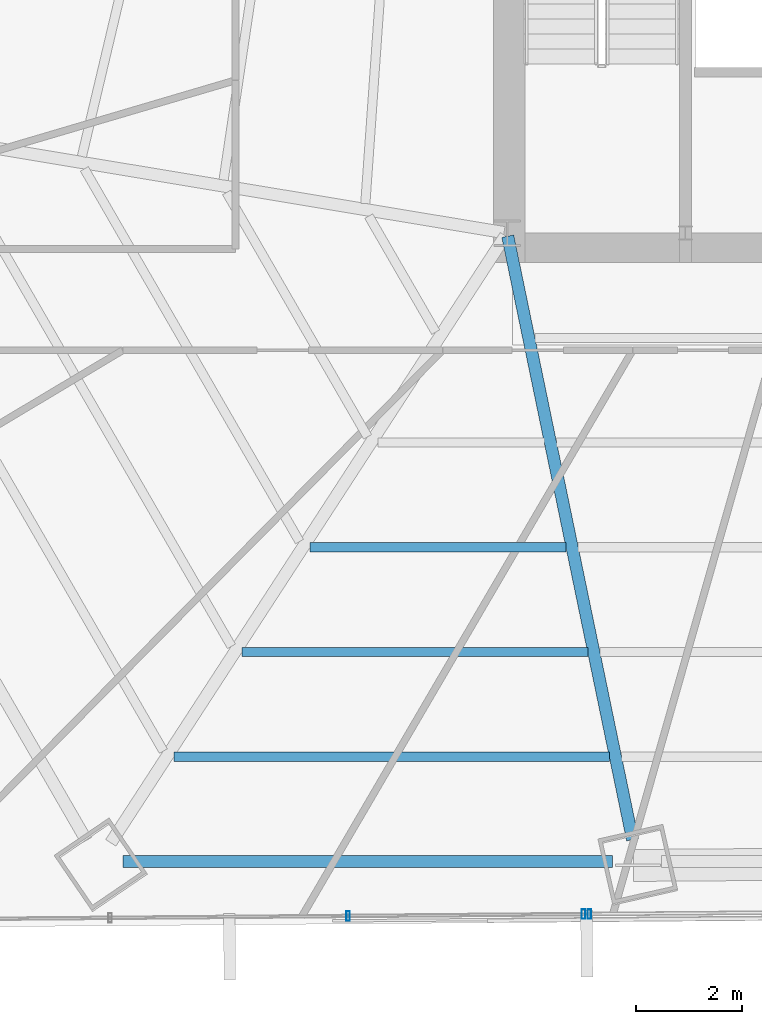
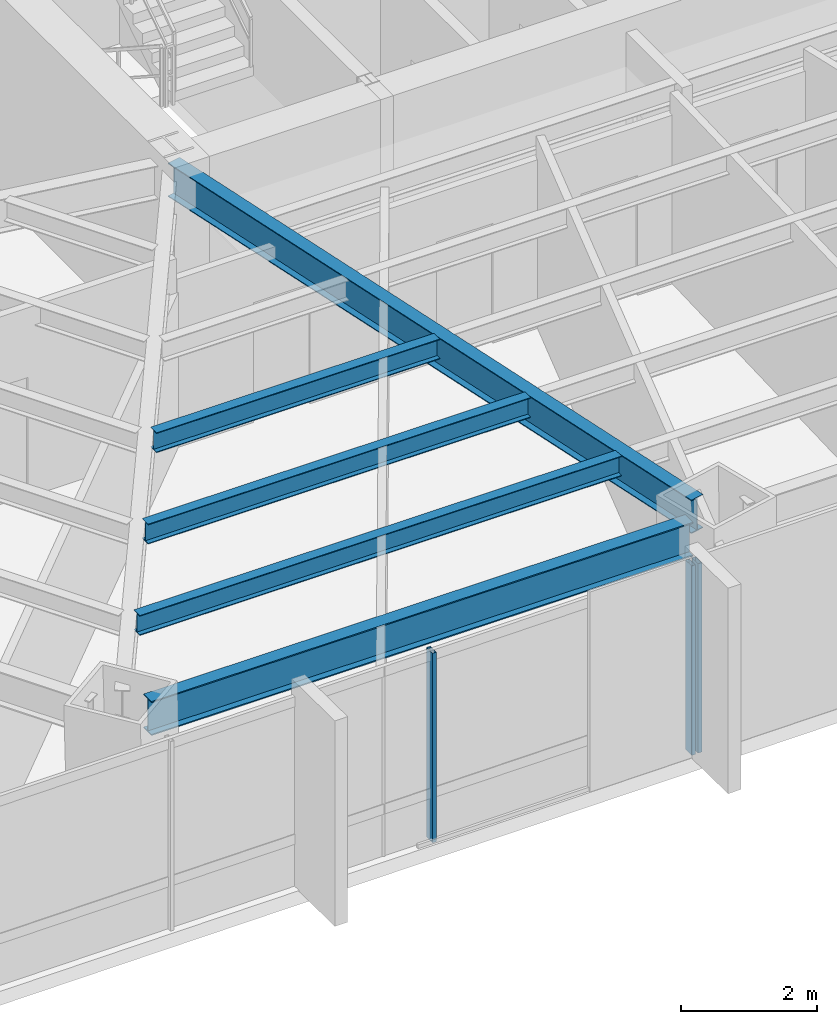
# One storey, part 8 of 36: 5 beams, 3 members, 2 elements without a shape of their own.
"""IFC4 building model written with IfcOpenShell, lengths in metres."""

from ifc_helpers import new_model, si_unit, direction, frame, origin, origin_2d, place, context, subcontext, project, spatial, hollow_rectangle, i_section, extrude, source, transform, mapped, material, material_profile, profile_set, type_object, type_shapes, element, aggregate, save


model = new_model("IFC4")

# Units and contexts
model_context = context("Model", 3, precision=1e-05, world=origin(), true_north=direction((0.0, 1.0)))
body_context = subcontext(model_context, "Body", "Model", "MODEL_VIEW")
ifc_project = project(units=[si_unit("LENGTHUNIT", "METRE"), si_unit("AREAUNIT", "SQUARE_METRE"), si_unit("VOLUMEUNIT", "CUBIC_METRE"), si_unit("PLANEANGLEUNIT", "RADIAN"), si_unit("MASSUNIT", "GRAM", prefix="KILO")], contexts=[model_context])

# Site, building, storey
site_placement = place(None, origin())
site = spatial("IfcSite", under=ifc_project, at=site_placement, CompositionType="ELEMENT")
building_placement = place(site_placement, origin())
building = spatial("IfcBuilding", under=site, at=building_placement, Name="Caelisora Broadcast Tower", CompositionType="ELEMENT")
storey_placement = place(building_placement, frame((0.0, 0.0, 64.10009765625)))
storey = spatial("IfcBuildingStorey", under=building, at=storey_placement, Name="L16", CompositionType="ELEMENT", Elevation=64.10009765625)

# Beams
ifc_material_1 = material(Name="Steel Grade 350 (AS/NZS 3679.1)", Category="steel")
ifc_material_profile_1 = material_profile(ifc_material_1, i_section(OverallWidth=0.22900390625, OverallDepth=0.611572265625, WebThickness=0.011962890625, FlangeThickness=0.01953125, at=origin_2d()), Name="Steel Grade 350 (AS/NZS 3679.1)")
ifc_profile_set_1 = profile_set([ifc_material_profile_1], Name="Steel Grade 350 (AS/NZS 3679.1)")
beam_type_1 = type_object("IfcBeamType", Name="PG03", PredefinedType="BEAM", material=ifc_profile_set_1)
shared_shape_1 = source(origin(), body_context, "Body", "SweptSolid", [
    extrude(i_section(OverallWidth=0.22900390625, OverallDepth=0.611572265625, WebThickness=0.011962890625, FlangeThickness=0.01953125, at=origin_2d()), origin(), (0.0, 0.0, 1.0), 9.195556640625),
])
type_shapes(beam_type_1, [shared_shape_1])
beam_1_placement = place(storey_placement, frame((23.286865234375, 5.59521484375, 3.093994140625), z_axis=(1.0, 0.0, 0.0), x_axis=(0.0, 1.0, 0.0)))
element("IfcBeam", 1, at=beam_1_placement, inside=storey, type_object=beam_type_1, Name="L16 beam PG03", PredefinedType="BEAM", context=body_context, shape_type="MappedRepresentation", body=[
    mapped(shared_shape_1, transform((0.0, 0.0, 0.0), scale=1.0)),
])
ifc_material_profile_2 = material_profile(ifc_material_1, i_section(OverallWidth=0.22802734375, OverallDepth=0.602294921875, WebThickness=0.010498046875, FlangeThickness=0.014892578125, at=origin_2d()), Name="Steel Grade 350 (AS/NZS 3679.1)")
ifc_profile_set_2 = profile_set([ifc_material_profile_2], Name="Steel Grade 350 (AS/NZS 3679.1)")
beam_type_2 = type_object("IfcBeamType", Name="PG04", PredefinedType="BEAM", material=ifc_profile_set_2)
shared_shape_2 = source(origin(), body_context, "Body", "SweptSolid", [
    extrude(i_section(OverallWidth=0.22802734375, OverallDepth=0.602294921875, WebThickness=0.010498046875, FlangeThickness=0.014892578125, at=origin_2d()), origin(), (0.0, 0.0, 1.0), 11.57470703125),
])
type_shapes(beam_type_2, [shared_shape_2])
beam_2_placement = place(storey_placement, frame((30.51220703125, 17.34130859375, 3.098876953125), z_axis=(0.202593746989, -0.979262872614, 0.0), x_axis=(0.979262872614, 0.202593746989, 0.0)))
element("IfcBeam", 2, at=beam_2_placement, inside=storey, type_object=beam_type_2, Name="L16 beam PG04", PredefinedType="BEAM", context=body_context, shape_type="MappedRepresentation", body=[
    mapped(shared_shape_2, transform((0.0, 0.0, 0.0), scale=1.0)),
])
ifc_material_profile_3 = material_profile(ifc_material_1, i_section(OverallWidth=0.172119140625, OverallDepth=0.358642578125, WebThickness=0.008056640625, FlangeThickness=0.012939453125, at=origin_2d()), Name="Steel Grade 350 (AS/NZS 3679.1)")
ifc_profile_set_3 = profile_set([ifc_material_profile_3], Name="Steel Grade 350 (AS/NZS 3679.1)")
beam_type_3 = type_object("IfcBeamType", Name="SB02", PredefinedType="JOIST", material=ifc_profile_set_3)
shared_shape_3 = source(origin(), body_context, "Body", "SweptSolid", [
    extrude(i_section(OverallWidth=0.172119140625, OverallDepth=0.358642578125, WebThickness=0.008056640625, FlangeThickness=0.012939453125, at=origin_2d()), origin(), (0.0, 0.0, 1.0), 4.8115234375),
])
beam_3_placement = place(storey_placement, frame((26.79638671875, 11.497802734375, 3.220703125), z_axis=(1.0, 0.0, 0.0), x_axis=(0.0, 1.0, 0.0)))
element("IfcBeam", 3, at=beam_3_placement, inside=storey, type_object=beam_type_3, Name="L16 beam SB02", PredefinedType="JOIST", context=body_context, shape_type="MappedRepresentation", body=[
    mapped(shared_shape_3, transform((0.0, 0.0, 0.0), scale=1.0)),
])
shared_shape_4 = source(origin(), body_context, "Body", "SweptSolid", [
    extrude(i_section(OverallWidth=0.172119140625, OverallDepth=0.358642578125, WebThickness=0.008056640625, FlangeThickness=0.012939453125, at=origin_2d()), origin(), (0.0, 0.0, 1.0), 6.497314453125),
])
beam_4_placement = place(storey_placement, frame((25.517578125, 9.5302734375, 3.220703125), z_axis=(1.0, 0.0, 0.0), x_axis=(0.0, 1.0, 0.0)))
element("IfcBeam", 4, at=beam_4_placement, inside=storey, type_object=beam_type_3, Name="L16 beam SB02", PredefinedType="JOIST", context=body_context, shape_type="MappedRepresentation", body=[
    mapped(shared_shape_4, transform((0.0, 0.0, 0.0), scale=1.0)),
])
shared_shape_5 = source(origin(), body_context, "Body", "SweptSolid", [
    extrude(i_section(OverallWidth=0.172119140625, OverallDepth=0.358642578125, WebThickness=0.008056640625, FlangeThickness=0.012939453125, at=origin_2d()), origin(), (0.0, 0.0, 1.0), 8.18310546875),
])
type_shapes(beam_type_3, [shared_shape_3, shared_shape_4, shared_shape_5])
beam_5_placement = place(storey_placement, frame((24.23876953125, 7.562744140625, 3.220703125), z_axis=(1.0, 0.0, 0.0), x_axis=(0.0, 1.0, 0.0)))
element("IfcBeam", 5, at=beam_5_placement, inside=storey, type_object=beam_type_3, Name="L16 beam SB02", PredefinedType="JOIST", context=body_context, shape_type="MappedRepresentation", body=[
    mapped(shared_shape_5, transform((0.0, 0.0, 0.0), scale=1.0)),
])

# Curtain wall, member
ifc_material_2 = material(Name="Unitised Aluminium Insulated Shadow-Box Spandrel Curtain Wall", Category="aluminium")
curtain_wall_type_1 = type_object("IfcCurtainWallType", Name="CW-SP1", PredefinedType="NOTDEFINED", material=ifc_material_2)
curtain_wall_1_placement = place(storey_placement, origin())
curtain_wall_1 = element("IfcCurtainWall", 6, at=curtain_wall_1_placement, inside=storey, type_object=curtain_wall_type_1, Name="L16 curtain wall CW-SP1", PredefinedType="NOTDEFINED")
ifc_material_3 = material(Name="Aluminium 6063-T6 Anodised Terracotta Bronze", Category="aluminium")
ifc_material_profile_4 = material_profile(ifc_material_3, hollow_rectangle(XDim=0.06494140625, YDim=0.179931640625, WallThickness=0.00341796875, at=origin_2d()), Name="Aluminium 6063-T6 Anodised Terracotta Bronze")
ifc_profile_set_4 = profile_set([ifc_material_profile_4], Name="Aluminium 6063-T6 Anodised Terracotta Bronze")
member_type = type_object("IfcMemberType", Name="CWM-02", PredefinedType="MULLION", material=ifc_profile_set_4)
shared_shape_6 = source(origin(), body_context, "Body", "SweptSolid", [
    extrude(hollow_rectangle(XDim=0.06494140625, YDim=0.179931640625, WallThickness=0.00341796875, at=origin_2d()), origin(), (0.0, 0.0, 1.0), 3.39990234375),
])
type_shapes(member_type, [shared_shape_6])
member_1_placement = place(storey_placement, frame((32.0458984375, 4.610107421875, 0.0), z_axis=(0.0, 0.0, 1.0), x_axis=(1.0, 0.0, 0.0)))
member_1 = element("IfcMember", 7, at=member_1_placement, type_object=member_type, Name="L16-CW-B06 mullion #3", PredefinedType="MULLION", context=body_context, shape_type="MappedRepresentation", body=[
    mapped(shared_shape_6, transform((0.0, 0.0, 0.0), scale=1.0)),
])
aggregate(curtain_wall_1, [member_1])

# Curtain wall, members
ifc_material_4 = material(Name="Unitised Aluminium and Low-E Glass Curtain Wall", Category="glass")
curtain_wall_type_2 = type_object("IfcCurtainWallType", Name="CW-Z1", PredefinedType="NOTDEFINED", material=ifc_material_4)
curtain_wall_2_placement = place(storey_placement, origin())
curtain_wall_2 = element("IfcCurtainWall", 8, at=curtain_wall_2_placement, inside=storey, type_object=curtain_wall_type_2, Name="L16 curtain wall CW-Z1", PredefinedType="NOTDEFINED")
member_2_placement = place(storey_placement, frame((31.935791015625, 4.609130859375, 0.0), z_axis=(0.0, 0.0, 1.0), x_axis=(1.0, 0.0, 0.0)))
member_2 = element("IfcMember", 9, at=member_2_placement, type_object=member_type, Name="L16-CW-B07 mullion #0", PredefinedType="MULLION", context=body_context, shape_type="MappedRepresentation", body=[
    mapped(shared_shape_6, transform((0.0, 0.0, 0.0), scale=1.0)),
])
member_3_placement = place(storey_placement, frame((27.515380859375, 4.57421875, 0.0), z_axis=(0.0, 0.0, 1.0), x_axis=(1.0, 0.0, 0.0)))
member_3 = element("IfcMember", 10, at=member_3_placement, type_object=member_type, Name="L16-CW-B07 mullion #1", PredefinedType="MULLION", context=body_context, shape_type="MappedRepresentation", body=[
    mapped(shared_shape_6, transform((0.0, 0.0, 0.0), scale=1.0)),
])
aggregate(curtain_wall_2, [member_2, member_3])

save(model, "model.ifc")
